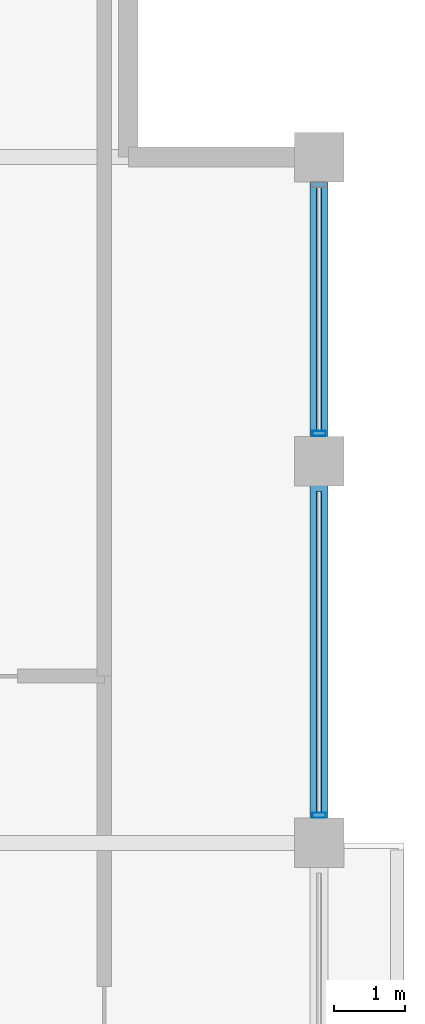
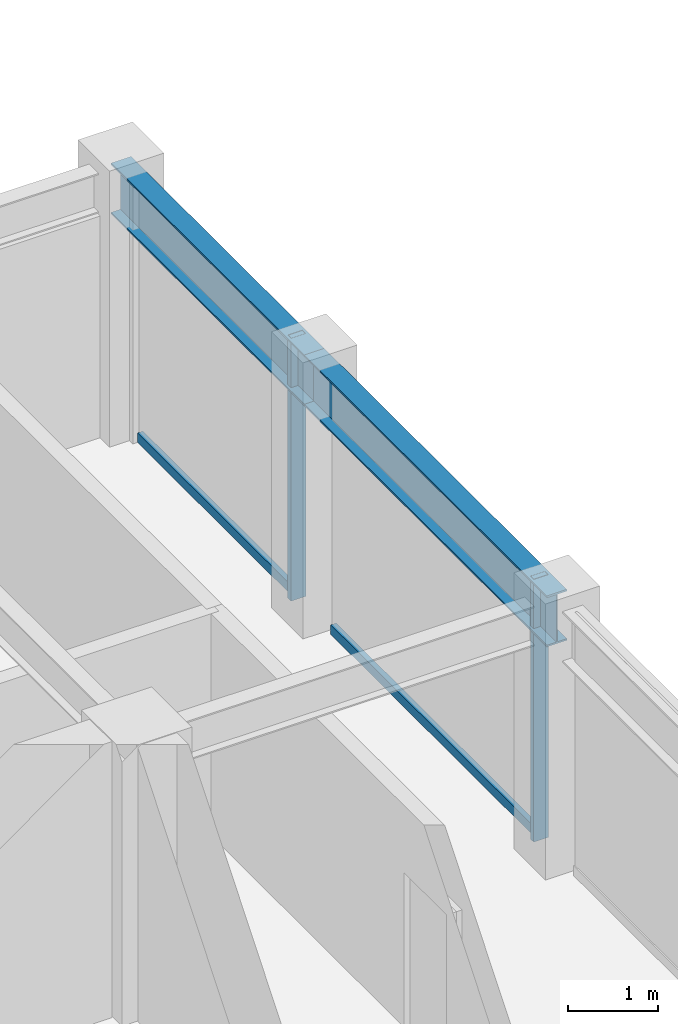
# One storey, part 20 of 30: 4 members, 2 beams, 1 element without a shape of its own.
"""IFC4 building model written with IfcOpenShell, lengths in metres."""

from ifc_helpers import new_model, si_unit, direction, frame, origin, origin_2d, place, context, subcontext, project, spatial, hollow_rectangle, i_section, extrude, material, layer, layer_set, material_profile, profile_set, type_object, element, aggregate, save


model = new_model("IFC4")

# Units and contexts
model_context = context("Model", 3, precision=1e-05, world=origin(), true_north=direction((0.0, 1.0)))
body_context = subcontext(model_context, "Body", "Model", "MODEL_VIEW")
ifc_project = project(units=[si_unit("LENGTHUNIT", "METRE"), si_unit("AREAUNIT", "SQUARE_METRE"), si_unit("VOLUMEUNIT", "CUBIC_METRE"), si_unit("PLANEANGLEUNIT", "RADIAN"), si_unit("MASSUNIT", "GRAM", prefix="KILO")], contexts=[model_context])

# Site, building, storey
site_placement = place(None, origin())
site = spatial("IfcSite", under=ifc_project, at=site_placement, CompositionType="ELEMENT")
building_placement = place(site_placement, origin())
building = spatial("IfcBuilding", under=site, at=building_placement, Name="Surkhivell Harbour Commons", CompositionType="ELEMENT")
storey_placement = place(building_placement, frame((0.0, 0.0, 281.25)))
storey = spatial("IfcBuildingStorey", under=building, at=storey_placement, Name="L73", CompositionType="ELEMENT", Elevation=281.25)

# Beams
ifc_material_1 = material(Name="Steel S355", Category="steel")
ifc_material_profile_1 = material_profile(ifc_material_1, i_section(OverallWidth=0.256103515625, OverallDepth=0.693115234375, WebThickness=0.014404296875, FlangeThickness=0.023681640625, at=origin_2d()), Name="UB686x254x170")
ifc_profile_set_1 = profile_set([ifc_material_profile_1], Name="Steel S355")
beam_type = type_object("IfcBeamType", Name="BM-SPN-686", PredefinedType="SPANDREL", material=ifc_profile_set_1)
beam_1_placement = place(storey_placement, frame((16.199951171875, 10.800048828125, 3.223388671875), z_axis=(0.0, 1.0, 0.0), x_axis=(-1.0, 0.0, 0.0)))
element("IfcBeam", 1, at=beam_1_placement, inside=storey, type_object=beam_type, Name="L73 Tube Spandrel (16.2,10.8)", PredefinedType="SPANDREL", context=body_context, shape_type="SweptSolid", body=[
    extrude(i_section(OverallWidth=0.256103515625, OverallDepth=0.693115234375, WebThickness=0.014404296875, FlangeThickness=0.023681640625, at=origin_2d()), origin(), (0.0, 0.0, 1.0), 5.39990234375),
])
beam_2_placement = place(storey_placement, frame((16.199951171875, 16.199951171875, 3.223388671875), z_axis=(0.0, 1.0, 0.0), x_axis=(-1.0, 0.0, 0.0)))
element("IfcBeam", 2, at=beam_2_placement, inside=storey, type_object=beam_type, Name="L73 Tube Spandrel (16.2,16.2)", PredefinedType="SPANDREL", context=body_context, shape_type="SweptSolid", body=[
    extrude(i_section(OverallWidth=0.256103515625, OverallDepth=0.693115234375, WebThickness=0.014404296875, FlangeThickness=0.023681640625, at=origin_2d()), origin(), (0.0, 0.0, 1.0), 4.300048828125),
])

# Curtain wall, members
ifc_material_2 = material(Name="Anodised pale-metal aluminium and insulated glazing", Category="aluminium")
ifc_layer = layer(ifc_material_2, 0.175048828125)
ifc_layer_set = layer_set([ifc_layer], Name="Anodised pale-metal aluminium and insulated glazing")
curtain_wall_type = type_object("IfcCurtainWallType", Name="CW-SYS-Z4", PredefinedType="NOTDEFINED", material=ifc_layer_set)
curtain_wall_placement = place(storey_placement, origin())
curtain_wall = element("IfcCurtainWall", 3, at=curtain_wall_placement, inside=storey, type_object=curtain_wall_type, Name="L73 Curtain Wall CW-L73-E02", PredefinedType="NOTDEFINED")
ifc_material_3 = material(Name="Anodised pale-metal aluminium alloy 6063-T6", Category="aluminium")
ifc_material_profile_2 = material_profile(ifc_material_3, hollow_rectangle(XDim=0.074951171875, YDim=0.18994140625, WallThickness=0.00390625, at=origin_2d()), Name="ALU-MULL-75x190")
ifc_profile_set_2 = profile_set([ifc_material_profile_2], Name="Anodised pale-metal aluminium alloy 6063-T6")
member_type_1 = type_object("IfcMemberType", Name="CWM-190", PredefinedType="MULLION", material=ifc_profile_set_2)
member_1_placement = place(storey_placement, frame((16.199951171875, 11.189453125, 0.0), z_axis=(0.0, 0.0, 1.0), x_axis=(0.0, 1.0, 0.0)))
member_1 = element("IfcMember", 4, at=member_1_placement, type_object=member_type_1, Name="CW-Z4 mullion 4", PredefinedType="MULLION", context=body_context, shape_type="SweptSolid", body=[
    extrude(hollow_rectangle(XDim=0.074951171875, YDim=0.18994140625, WallThickness=0.00390625, at=origin_2d()), origin(), (0.0, 0.0, 1.0), 3.570068359375),
])
member_2_placement = place(storey_placement, frame((16.199951171875, 16.589599609375, 0.0), z_axis=(0.0, 0.0, 1.0), x_axis=(0.0, 1.0, 0.0)))
member_2 = element("IfcMember", 5, at=member_2_placement, type_object=member_type_1, Name="CW-Z4 mullion 5", PredefinedType="MULLION", context=body_context, shape_type="SweptSolid", body=[
    extrude(hollow_rectangle(XDim=0.074951171875, YDim=0.18994140625, WallThickness=0.00390625, at=origin_2d()), origin(), (0.0, 0.0, 1.0), 3.570068359375),
])
ifc_material_4 = material(Name="Champagne anodised aluminium alloy 6063-T6", Category="aluminium")
ifc_material_profile_3 = material_profile(ifc_material_4, hollow_rectangle(XDim=0.070068359375, YDim=0.1298828125, WallThickness=0.00341796875, at=origin_2d()), Name="ALU-TRAN-70x130")
ifc_profile_set_3 = profile_set([ifc_material_profile_3], Name="Champagne anodised aluminium alloy 6063-T6")
member_type_2 = type_object("IfcMemberType", Name="CWT-130", PredefinedType="USERDEFINED", material=ifc_profile_set_3)
member_3_placement = place(storey_placement, frame((16.199951171875, 11.22705078125, 0.06494140625), z_axis=(0.0, 1.0, 0.0), x_axis=(-1.0, 0.0, 0.0)))
member_3 = element("IfcMember", 6, at=member_3_placement, type_object=member_type_2, Name="CW-Z4 transom 4.1", ObjectType="TRANSOM", PredefinedType="USERDEFINED", context=body_context, shape_type="SweptSolid", body=[
    extrude(hollow_rectangle(XDim=0.070068359375, YDim=0.1298828125, WallThickness=0.00341796875, at=origin_2d()), origin(), (0.0, 0.0, 1.0), 4.5458984375),
])
member_4_placement = place(storey_placement, frame((16.199951171875, 16.626953125, 0.06494140625), z_axis=(0.0, 1.0, 0.0), x_axis=(-1.0, 0.0, 0.0)))
member_4 = element("IfcMember", 7, at=member_4_placement, type_object=member_type_2, Name="CW-Z4 transom 5.1", ObjectType="TRANSOM", PredefinedType="USERDEFINED", context=body_context, shape_type="SweptSolid", body=[
    extrude(hollow_rectangle(XDim=0.070068359375, YDim=0.1298828125, WallThickness=0.00341796875, at=origin_2d()), origin(), (0.0, 0.0, 1.0), 3.446044921875),
])
aggregate(curtain_wall, [member_1, member_3, member_2, member_4])

save(model, "model.ifc")
